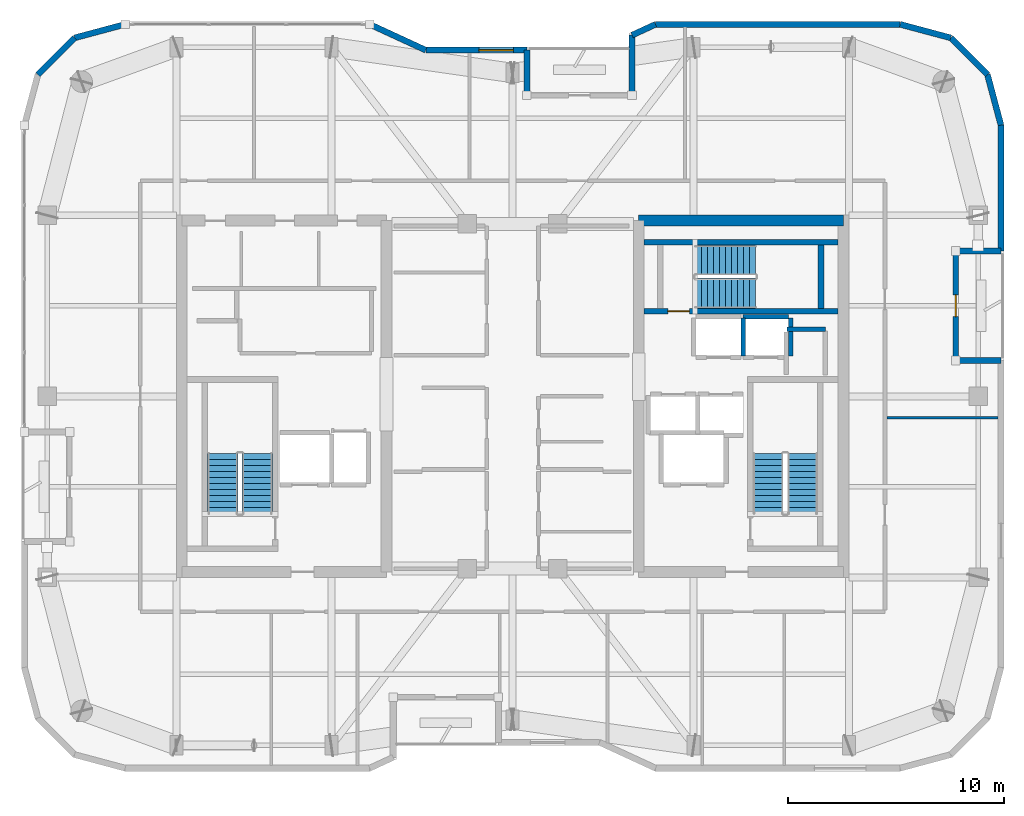
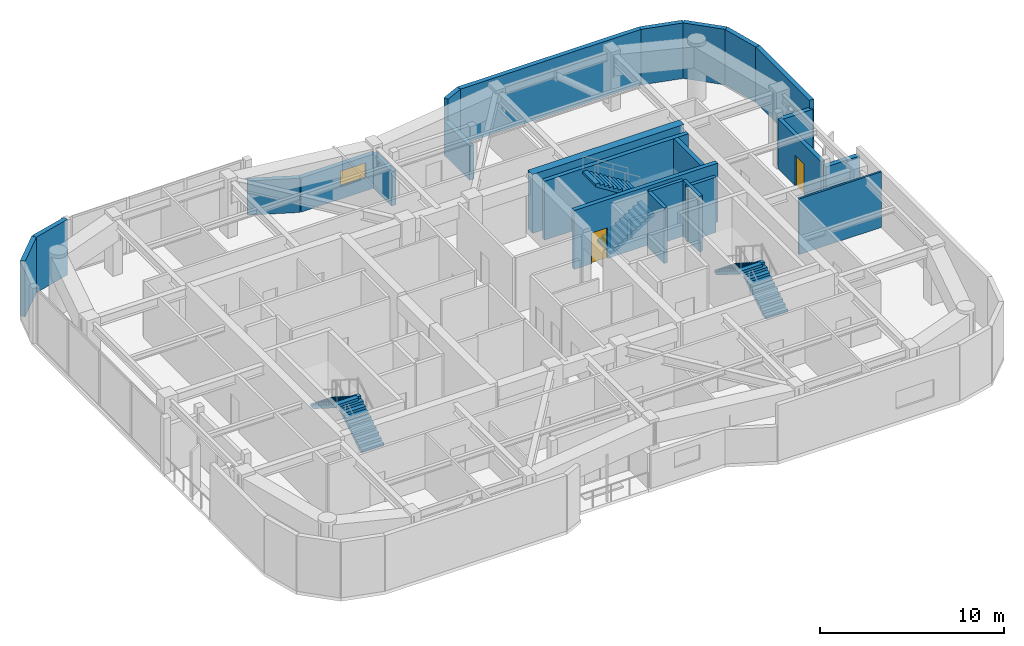
# One storey, part 13 of 15: 24 walls, 6 stair flights, 2 doors, 1 window, 3 openings, 3 elements without a shape of their own.
"""IFC4 building model written with IfcOpenShell, lengths in metres."""

from ifc_helpers import new_model, si_unit, direction, frame, frame_2d, origin, place, context, subcontext, project, spatial, polyline, rectangle, outline, extrude, material, layer, layer_set, type_object, element, fill, aggregate, save


model = new_model("IFC4")

# Units and contexts
model_context = context("Model", 3, precision=1e-05, world=origin(), true_north=direction((0.0, 1.0)))
body_context = subcontext(model_context, "Body", "Model", "MODEL_VIEW")
ifc_project = project(units=[si_unit("LENGTHUNIT", "METRE"), si_unit("AREAUNIT", "SQUARE_METRE"), si_unit("VOLUMEUNIT", "CUBIC_METRE"), si_unit("PLANEANGLEUNIT", "RADIAN"), si_unit("MASSUNIT", "GRAM", prefix="KILO")], contexts=[model_context])

# Site, building, storey
site_placement = place(None, origin())
site = spatial("IfcSite", under=ifc_project, at=site_placement, CompositionType="ELEMENT")
building_placement = place(site_placement, origin())
building = spatial("IfcBuilding", under=site, at=building_placement, Name="Kiyonajd Concourse Tower", CompositionType="ELEMENT")
storey_placement = place(building_placement, frame((0.0, 0.0, 314.10009765625)))
storey = spatial("IfcBuildingStorey", under=building, at=storey_placement, Name="L79", CompositionType="ELEMENT", Elevation=314.10009765625)

# Walls
ifc_material_1 = material(Name="Concrete C60/75", Category="concrete")
ifc_layer_1 = layer(ifc_material_1, 0.5)
ifc_layer_set_1 = layer_set([ifc_layer_1], Name="Concrete C60/75")
wall_type_1 = type_object("IfcWallType", Name="WL-CORE-500", PredefinedType="SHEAR", material=ifc_layer_set_1)
wall_1_placement = place(storey_placement, frame((53.85009765625, 44.14990234375, 0.0), z_axis=(0.0, 0.0, 1.0), x_axis=(1.0, 0.0, 0.0)))
element("IfcWall", 1, at=wall_1_placement, inside=storey, type_object=wall_type_1, Name="L79 East Core North Shear Wall", PredefinedType="SHEAR", context=body_context, shape_type="SweptSolid", body=[
    extrude(rectangle(XDim=9.5, YDim=0.5, at=frame_2d((4.75, 0.0))), origin(), (0.0, 0.0, 1.0), 3.89990234375),
])
ifc_material_2 = material(Name="Precast concrete C50/60", Category="concrete")
ifc_layer_2 = layer(ifc_material_2, 0.280029296875)
ifc_layer_set_2 = layer_set([ifc_layer_2], Name="Precast concrete C50/60")
wall_type_2 = type_object("IfcWallType", Name="WL-EXT-280", PredefinedType="SOLIDWALL", material=ifc_layer_set_2)
wall_2_placement = place(storey_placement, frame((25.968505859375, 50.927490234375, 0.0), z_axis=(0.0, 0.0, 1.0), x_axis=(0.707106781187, 0.707106781187, 0.0)))
element("IfcWall", 2, at=wall_2_placement, inside=storey, type_object=wall_type_2, Name="L79 Exterior Concrete Frame Wall 07", PredefinedType="SOLIDWALL", context=body_context, shape_type="SweptSolid", body=[
    extrude(rectangle(XDim=2.409912109375, YDim=0.280029296875, at=frame_2d((1.205078125, 0.0))), origin(), (0.0, 0.0, 1.0), 3.679931640625),
])
wall_3_placement = place(storey_placement, frame((27.672607421875, 52.631591796875, 0.0), z_axis=(0.0, 0.0, 1.0), x_axis=(0.965937282298, 0.25877628691, 0.0)))
element("IfcWall", 3, at=wall_3_placement, inside=storey, type_object=wall_type_2, Name="L79 Exterior Concrete Frame Wall 08", PredefinedType="SOLIDWALL", context=body_context, shape_type="SweptSolid", body=[
    extrude(rectangle(XDim=2.428466796875, YDim=0.280029296875, at=frame_2d((1.21435546875, 0.0))), origin(), (0.0, 0.0, 1.0), 3.679931640625),
])
wall_4_placement = place(storey_placement, frame((41.369384765625, 53.260009765625, 0.0), z_axis=(0.0, 0.0, 1.0), x_axis=(0.907956889006, -0.419063584324, 0.0)))
element("IfcWall", 4, at=wall_4_placement, inside=storey, type_object=wall_type_2, Name="L79 Exterior Concrete Frame Wall 10", PredefinedType="SOLIDWALL", context=body_context, shape_type="SweptSolid", body=[
    extrude(rectangle(XDim=2.863525390625, YDim=0.280029296875, at=frame_2d((1.431640625, 0.0))), origin(), (0.0, 0.0, 1.0), 2.264892578125),
])

# Wall, opening, window
wall_5_placement = place(storey_placement, frame((43.96923828125, 52.06005859375, 0.0), z_axis=(0.0, 0.0, 1.0), x_axis=(1.0, 0.0, 0.0)))
wall_5 = element("IfcWall", 5, at=wall_5_placement, inside=storey, type_object=wall_type_2, Name="L79 Exterior Concrete Frame Wall 11", PredefinedType="SOLIDWALL", context=body_context, shape_type="SweptSolid", body=[
    extrude(rectangle(XDim=4.690673828125, YDim=0.280029296875, at=frame_2d((2.34521484375, 0.0))), origin(), (0.0, 0.0, 1.0), 2.264892578125),
])
opening_1_placement = place(wall_5_placement, frame((2.466064453125, 0.0, 0.85009765625)))
opening_1 = element("IfcOpeningElement", 6, at=opening_1_placement, cuts=wall_5, Name="Opening WN6", PredefinedType="OPENING", context=body_context, shape_type="SweptSolid", body=[
    extrude(rectangle(XDim=1.60009765625, YDim=1.0, at=frame_2d((0.800048828125, 0.5))), frame((0.0, 0.14990234375, 0.0), z_axis=(0.0, -1.0, 0.0), x_axis=(1.0, 0.0, 0.0)), (0.0, 0.0, 1.0), 0.300048828125),
])
ifc_material_3 = material(Name="Double Low-E Insulated Glass", Category="glass")
window_type = type_object("IfcWindowType", Name="WN-VIS-1600x1000", PartitioningType="SINGLE_PANEL", PredefinedType="WINDOW", material=ifc_material_3)
window_placement = place(opening_1_placement, origin())
window = element("IfcWindow", 7, at=window_placement, inside=storey, type_object=window_type, Name="L79 Modular Facade Vision Window 11", OverallHeight=1.0, OverallWidth=1.60009765625, PartitioningType="SINGLE_PANEL", PredefinedType="WINDOW", context=body_context, shape_type="SweptSolid", body=[
    extrude(rectangle(XDim=1.60009765625, YDim=1.0, at=frame_2d((0.800048828125, 0.5))), frame((0.0, 0.030029296875, 0.0), z_axis=(0.0, -1.0, 0.0), x_axis=(1.0, 0.0, 0.0)), (0.0, 0.0, 1.0), 0.06005859375),
])
fill(opening_1, window)

# Walls
wall_6_placement = place(storey_placement, frame((48.659912109375, 52.06005859375, 0.0), z_axis=(0.0, 0.0, 1.0), x_axis=(0.0, -1.0, 0.0)))
element("IfcWall", 8, at=wall_6_placement, inside=storey, type_object=wall_type_2, Name="L79 Exterior Concrete Frame Wall 12", PredefinedType="SOLIDWALL", context=body_context, shape_type="SweptSolid", body=[
    extrude(rectangle(XDim=2.10009765625, YDim=0.280029296875, at=frame_2d((1.050048828125, 0.0))), origin(), (0.0, 0.0, 1.0), 2.264892578125),
])
wall_7_placement = place(storey_placement, frame((53.5400390625, 49.9599609375, 0.0), z_axis=(0.0, 0.0, 1.0), x_axis=(0.0, 1.0, 0.0)))
element("IfcWall", 9, at=wall_7_placement, inside=storey, type_object=wall_type_2, Name="L79 Exterior Concrete Frame Wall 14", PredefinedType="SOLIDWALL", context=body_context, shape_type="SweptSolid", body=[
    extrude(rectangle(XDim=2.79638671875, YDim=0.280029296875, at=frame_2d((1.398193359375, 0.0))), origin(), (0.0, 0.0, 1.0), 2.264892578125),
])
wall_8_placement = place(storey_placement, frame((53.5400390625, 52.75634765625, 0.0), z_axis=(0.0, 0.0, 1.0), x_axis=(0.907893953211, 0.419199916176, 0.0)))
element("IfcWall", 10, at=wall_8_placement, inside=storey, type_object=wall_type_2, Name="L79 Exterior Concrete Frame Wall 15", PredefinedType="SOLIDWALL", context=body_context, shape_type="SweptSolid", body=[
    extrude(rectangle(XDim=1.201416015625, YDim=0.280029296875, at=frame_2d((0.6005859375, 0.0))), origin(), (0.0, 0.0, 1.0), 3.679931640625),
])
wall_9_placement = place(storey_placement, frame((54.630859375, 53.260009765625, 0.0), z_axis=(0.0, 0.0, 1.0), x_axis=(1.0, 0.0, 0.0)))
element("IfcWall", 11, at=wall_9_placement, inside=storey, type_object=wall_type_2, Name="L79 Exterior Concrete Frame Wall 16", PredefinedType="SOLIDWALL", context=body_context, shape_type="SweptSolid", body=[
    extrude(rectangle(XDim=11.350830078125, YDim=0.280029296875, at=frame_2d((5.67529296875, 0.0))), origin(), (0.0, 0.0, 1.0), 3.679931640625),
])
wall_10_placement = place(storey_placement, frame((65.981689453125, 53.260009765625, 0.0), z_axis=(0.0, 0.0, 1.0), x_axis=(0.965937282298, -0.25877628691, 0.0)))
element("IfcWall", 12, at=wall_10_placement, inside=storey, type_object=wall_type_2, Name="L79 Exterior Concrete Frame Wall 17", PredefinedType="SOLIDWALL", context=body_context, shape_type="SweptSolid", body=[
    extrude(rectangle(XDim=2.428466796875, YDim=0.280029296875, at=frame_2d((1.21435546875, 0.0))), origin(), (0.0, 0.0, 1.0), 3.679931640625),
])
wall_11_placement = place(storey_placement, frame((68.327392578125, 52.631591796875, 0.0), z_axis=(0.0, 0.0, 1.0), x_axis=(0.707106781187, -0.707106781187, 0.0)))
element("IfcWall", 13, at=wall_11_placement, inside=storey, type_object=wall_type_2, Name="L79 Exterior Concrete Frame Wall 18", PredefinedType="SOLIDWALL", context=body_context, shape_type="SweptSolid", body=[
    extrude(rectangle(XDim=2.409912109375, YDim=0.280029296875, at=frame_2d((1.205078125, 0.0))), origin(), (0.0, 0.0, 1.0), 3.679931640625),
])
wall_12_placement = place(storey_placement, frame((70.031494140625, 50.927490234375, 0.0), z_axis=(0.0, 0.0, 1.0), x_axis=(0.258751159445, -0.965944013639, 0.0)))
element("IfcWall", 14, at=wall_12_placement, inside=storey, type_object=wall_type_2, Name="L79 Exterior Concrete Frame Wall 19", PredefinedType="SOLIDWALL", context=body_context, shape_type="SweptSolid", body=[
    extrude(rectangle(XDim=2.4287109375, YDim=0.280029296875, at=frame_2d((1.21435546875, 0.0))), origin(), (0.0, 0.0, 1.0), 3.679931640625),
])
wall_13_placement = place(storey_placement, frame((70.659912109375, 48.58154296875, 0.0), z_axis=(0.0, 0.0, 1.0), x_axis=(0.0, -1.0, 0.0)))
element("IfcWall", 15, at=wall_13_placement, inside=storey, type_object=wall_type_2, Name="L79 Exterior Concrete Frame Wall 20", PredefinedType="SOLIDWALL", context=body_context, shape_type="SweptSolid", body=[
    extrude(rectangle(XDim=5.841552734375, YDim=0.280029296875, at=frame_2d((2.9208984375, 0.0))), origin(), (0.0, 0.0, 1.0), 3.679931640625),
])
for number, where, z_axis, x_axis, name in (
    (16, (70.659912109375, 42.739990234375, 0.0), (0.0, 0.0, 1.0), (-1.0, 0.0, 0.0), "L79 Exterior Concrete Frame Wall 21"),
    (17, (68.56005859375, 37.659912109375, 0.0), (0.0, 0.0, 1.0), (1.0, 0.0, 0.0), "L79 Exterior Concrete Frame Wall 23"),
):
    element("IfcWall", number, at=place(storey_placement, frame(where, z_axis=z_axis, x_axis=x_axis)), inside=storey, type_object=wall_type_2, Name=name, PredefinedType="SOLIDWALL", context=body_context, shape_type="SweptSolid", body=[
        extrude(rectangle(XDim=2.099853515625, YDim=0.280029296875, at=frame_2d((1.0498046875, 0.0))), origin(), (0.0, 0.0, 1.0), 3.1259765625),
    ])

# Wall, opening, door
ifc_layer_3 = layer(ifc_material_2, 0.239990234375)
ifc_layer_set_3 = layer_set([ifc_layer_3], Name="Precast concrete C50/60")
wall_type_3 = type_object("IfcWallType", Name="WL-LOG-240", PredefinedType="SOLIDWALL", material=ifc_layer_set_3)
wall_14_placement = place(storey_placement, frame((68.56005859375, 42.544921875, 0.0), z_axis=(0.0, 0.0, 1.0), x_axis=(0.0, -1.0, 0.0)))
wall_14 = element("IfcWall", 18, at=wall_14_placement, inside=storey, type_object=wall_type_3, Name="L79 Recessed Loggia Thermal Wall LOG-E", PredefinedType="SOLIDWALL", context=body_context, shape_type="SweptSolid", body=[
    extrude(rectangle(XDim=4.68994140625, YDim=0.239990234375, at=frame_2d((2.344970703125, 0.0))), origin(), (0.0, 0.0, 1.0), 3.310791015625),
])
opening_2_placement = place(wall_14_placement, frame((1.844970703125, 0.0, 0.0)))
opening_2 = element("IfcOpeningElement", 19, at=opening_2_placement, cuts=wall_14, Name="Opening DL1", PredefinedType="OPENING", context=body_context, shape_type="SweptSolid", body=[
    extrude(rectangle(XDim=1.0, YDim=2.02001953125, at=frame_2d((0.5, 1.010009765625))), frame((0.0, 0.1298828125, 0.0), z_axis=(0.0, -1.0, 0.0), x_axis=(1.0, 0.0, 0.0)), (0.0, 0.0, 1.0), 0.260009765625),
])
ifc_material_4 = material(Name="Thermally Broken Anodised Aluminium", Category="aluminium")
door_type_1 = type_object("IfcDoorType", Name="DR-LOG-1000", OperationType="NOTDEFINED", PredefinedType="DOOR", material=ifc_material_4)
door_1_placement = place(opening_2_placement, origin())
door_1 = element("IfcDoor", 20, at=door_1_placement, inside=storey, type_object=door_type_1, Name="L79 Engawa Loggia Access Door LOG-E", OperationType="SINGLE_SWING_LEFT", OverallHeight=2.02001953125, OverallWidth=1.0, PredefinedType="DOOR", context=body_context, shape_type="SweptSolid", body=[
    extrude(rectangle(XDim=1.0, YDim=2.02001953125, at=frame_2d((0.5, 1.010009765625))), frame((0.0, 0.02490234375, 0.0), z_axis=(0.0, -1.0, 0.0), x_axis=(1.0, 0.0, 0.0)), (0.0, 0.0, 1.0), 0.050048828125),
])
fill(opening_2, door_1)

# Walls
ifc_material_5 = material(Name="Gypsum Board on Cold-Formed Steel Stud", Category="steel")
ifc_layer_4 = layer(ifc_material_5, 0.125)
ifc_layer_set_4 = layer_set([ifc_layer_4], Name="Gypsum Board on Cold-Formed Steel Stud")
wall_type_4 = type_object("IfcWallType", Name="WL-PART-125", PredefinedType="PARTITIONING", material=ifc_layer_set_4)
wall_15_placement = place(storey_placement, frame((65.362060546875, 35.0, 0.0), z_axis=(0.0, 0.0, 1.0), x_axis=(1.0, 0.0, 0.0)))
element("IfcWall", 21, at=wall_15_placement, inside=storey, type_object=wall_type_4, Name="L79 Interior Partition Wall", PredefinedType="PARTITIONING", context=body_context, shape_type="SweptSolid", body=[
    extrude(rectangle(XDim=5.162841796875, YDim=0.125, at=frame_2d((2.58154296875, 0.0))), origin(), (0.0, 0.0, 1.0), 3.679931640625),
])
ifc_layer_5 = layer(ifc_material_5, 0.2099609375)
ifc_layer_set_5 = layer_set([ifc_layer_5], Name="Gypsum Board on Cold-Formed Steel Stud")
wall_type_5 = type_object("IfcWallType", Name="WL-SHAFT-210", PredefinedType="PARTITIONING", material=ifc_layer_set_5)
wall_16_placement = place(storey_placement, frame((60.719970703125, 39.10009765625, 0.0), z_axis=(0.0, 0.0, 1.0), x_axis=(1.0, 0.0, 0.0)))
element("IfcWall", 22, at=wall_16_placement, inside=storey, type_object=wall_type_5, Name="L79 Shaft Enclosure Wall", PredefinedType="PARTITIONING", context=body_context, shape_type="SweptSolid", body=[
    extrude(rectangle(XDim=1.800048828125, YDim=0.2099609375, at=frame_2d((0.89990234375, 0.0))), origin(), (0.0, 0.0, 1.0), 3.679931640625),
])
wall_17_placement = place(storey_placement, frame((58.699951171875, 37.860107421875, 0.0), z_axis=(0.0, 0.0, 1.0), x_axis=(0.0, 1.0, 0.0)))
element("IfcWall", 23, at=wall_17_placement, inside=storey, type_object=wall_type_5, Name="L79 Shaft Enclosure Wall", PredefinedType="PARTITIONING", context=body_context, shape_type="SweptSolid", body=[
    extrude(rectangle(XDim=1.77978515625, YDim=0.2099609375, at=frame_2d((0.889892578125, 0.0))), origin(), (0.0, 0.0, 1.0), 3.679931640625),
])
wall_18_placement = place(storey_placement, frame((58.699951171875, 39.699951171875, 0.0), z_axis=(0.0, 0.0, 1.0), x_axis=(1.0, 0.0, 0.0)))
element("IfcWall", 24, at=wall_18_placement, inside=storey, type_object=wall_type_5, Name="L79 Shaft Enclosure Wall", PredefinedType="PARTITIONING", context=body_context, shape_type="SweptSolid", body=[
    extrude(rectangle(XDim=2.10009765625, YDim=0.2099609375, at=frame_2d((1.050048828125, 0.0))), origin(), (0.0, 0.0, 1.0), 3.679931640625),
])
wall_19_placement = place(storey_placement, frame((60.89990234375, 37.860107421875, 0.0), z_axis=(0.0, 0.0, 1.0), x_axis=(0.0, 1.0, 0.0)))
element("IfcWall", 25, at=wall_19_placement, inside=storey, type_object=wall_type_5, Name="L79 Shaft Enclosure Wall", PredefinedType="PARTITIONING", context=body_context, shape_type="SweptSolid", body=[
    extrude(rectangle(XDim=1.77978515625, YDim=0.2099609375, at=frame_2d((0.889892578125, 0.0))), origin(), (0.0, 0.0, 1.0), 3.679931640625),
])

# Wall, opening, door
ifc_material_6 = material(Name="Concrete C50/60", Category="concrete")
ifc_layer_6 = layer(ifc_material_6, 0.260009765625)
ifc_layer_set_6 = layer_set([ifc_layer_6], Name="Concrete C50/60")
wall_type_6 = type_object("IfcWallType", Name="WL-STAIR-260", PredefinedType="SHEAR", material=ifc_layer_set_6)
wall_20_placement = place(storey_placement, frame((54.10009765625, 39.949951171875, 0.0), z_axis=(0.0, 0.0, 1.0), x_axis=(1.0, 0.0, 0.0)))
wall_20 = element("IfcWall", 26, at=wall_20_placement, inside=storey, type_object=wall_type_6, Name="L79 Stair ST3 Structural South Wall", PredefinedType="SHEAR", context=body_context, shape_type="SweptSolid", body=[
    extrude(rectangle(XDim=9.0, YDim=0.260009765625, at=frame_2d((4.5, 0.0))), origin(), (0.0, 0.0, 1.0), 3.89990234375),
])
opening_3_placement = place(wall_20_placement, frame((1.10009765625, 0.0, 0.0)))
opening_3 = element("IfcOpeningElement", 27, at=opening_3_placement, cuts=wall_20, Name="Opening DF1", PredefinedType="OPENING", context=body_context, shape_type="SweptSolid", body=[
    extrude(rectangle(XDim=1.0, YDim=2.0400390625, at=frame_2d((0.5, 1.02001953125))), frame((0.0, 0.139892578125, 0.0), z_axis=(0.0, -1.0, 0.0), x_axis=(1.0, 0.0, 0.0)), (0.0, 0.0, 1.0), 0.280029296875),
])
ifc_material_7 = material(Name="Brushed Stainless Steel Cab Assembly", Category="steel")
door_type_2 = type_object("IfcDoorType", Name="DR-FD90-1000", OperationType="NOTDEFINED", PredefinedType="DOOR", material=ifc_material_7)
door_2_placement = place(opening_3_placement, origin())
door_2 = element("IfcDoor", 28, at=door_2_placement, inside=storey, type_object=door_type_2, Name="L79 Stair ST3 Enclosure Door", OperationType="SINGLE_SWING_LEFT", OverallHeight=2.0400390625, OverallWidth=1.0, PredefinedType="DOOR", context=body_context, shape_type="SweptSolid", body=[
    extrude(rectangle(XDim=1.0, YDim=2.0400390625, at=frame_2d((0.5, 1.02001953125))), frame((0.0, 0.02490234375, 0.0), z_axis=(0.0, -1.0, 0.0), x_axis=(1.0, 0.0, 0.0)), (0.0, 0.0, 1.0), 0.050048828125),
])
fill(opening_3, door_2)

# Walls
wall_21_placement = place(storey_placement, frame((54.10009765625, 43.14990234375, 0.0), z_axis=(0.0, 0.0, 1.0), x_axis=(1.0, 0.0, 0.0)))
element("IfcWall", 29, at=wall_21_placement, inside=storey, type_object=wall_type_6, Name="L79 Stair ST3 Structural North Wall", PredefinedType="SHEAR", context=body_context, shape_type="SweptSolid", body=[
    extrude(rectangle(XDim=9.0, YDim=0.260009765625, at=frame_2d((4.5, 0.0))), origin(), (0.0, 0.0, 1.0), 3.89990234375),
])
wall_22_placement = place(storey_placement, frame((62.31005859375, 40.080078125, 0.0), z_axis=(0.0, 0.0, 1.0), x_axis=(0.0, 1.0, 0.0)))
element("IfcWall", 30, at=wall_22_placement, inside=storey, type_object=wall_type_6, Name="L79 Stair ST3 Structural East Wall", PredefinedType="SHEAR", context=body_context, shape_type="SweptSolid", body=[
    extrude(rectangle(XDim=2.93994140625, YDim=0.260009765625, at=frame_2d((1.469970703125, 0.0))), origin(), (0.0, 0.0, 1.0), 3.89990234375),
])

# Stair, stair flights
ifc_material_8 = material(Name="Concrete C40/50", Category="concrete")
stair_type = type_object("IfcStairType", Name="ST-DLG-22R", PredefinedType="HALF_TURN_STAIR", material=ifc_material_8)
stair_1_placement = place(storey_placement, origin())
stair_1 = element("IfcStair", 31, at=stair_1_placement, inside=storey, type_object=stair_type, Name="L79 Protected Exit Stair ST1", PredefinedType="HALF_TURN_STAIR")
stair_flight_type = type_object("IfcStairFlightType", Name="SF-STR-22R", PredefinedType="STRAIGHT", material=ifc_material_8)
stair_flight_1_placement = place(storey_placement, frame((36.14990234375, 30.550048828125, 0.0), z_axis=(0.0, 0.0, 1.0), x_axis=(0.0, 1.0, 0.0)))
stair_flight_1 = element("IfcStairFlight", 32, at=stair_flight_1_placement, type_object=stair_flight_type, Name="ST1 flight 1", NumberOfRisers=11, NumberOfTreads=10, PredefinedType="STRAIGHT", RiserHeight=0.177272727, TreadLength=0.28, context=body_context, shape_type="SweptSolid", body=[
    extrude(outline(polyline([(0.0, 0.0), (0.0, 0.17724609375), (0.280029296875, 0.17724609375), (0.280029296875, 0.3544921875), (0.56005859375, 0.3544921875), (0.56005859375, 0.53173828125), (0.840087890625, 0.53173828125), (0.840087890625, 0.708984375), (1.1201171875, 0.708984375), (1.1201171875, 0.886474609375), (1.39990234375, 0.886474609375), (1.39990234375, 1.063720703125), (1.679931640625, 1.063720703125), (1.679931640625, 1.240966796875), (1.9599609375, 1.240966796875), (1.9599609375, 1.418212890625), (2.239990234375, 1.418212890625), (2.239990234375, 1.595458984375), (2.52001953125, 1.595458984375), (2.52001953125, 1.772705078125), (2.800048828125, 1.772705078125), (2.800048828125, 1.949951171875), (2.800048828125, 1.59521484375), (0.2802734375, 0.0), (0.0, 0.0)])), frame((0.0, 0.699951171875, 0.0), z_axis=(0.0, -1.0, 0.0), x_axis=(1.0, 0.0, 0.0)), (0.0, 0.0, 1.0), 1.39990234375),
])
stair_flight_2_placement = place(storey_placement, frame((34.550048828125, 33.35009765625, 1.949951171875), z_axis=(0.0, 0.0, 1.0), x_axis=(0.0, -1.0, 0.0)))
stair_flight_2 = element("IfcStairFlight", 33, at=stair_flight_2_placement, type_object=stair_flight_type, Name="ST1 flight 2", NumberOfRisers=11, NumberOfTreads=10, PredefinedType="STRAIGHT", RiserHeight=0.177272727, TreadLength=0.28, context=body_context, shape_type="SweptSolid", body=[
    extrude(outline(polyline([(0.0, 0.0), (0.0, 0.17724609375), (0.280029296875, 0.17724609375), (0.280029296875, 0.3544921875), (0.56005859375, 0.3544921875), (0.56005859375, 0.53173828125), (0.840087890625, 0.53173828125), (0.840087890625, 0.708984375), (1.1201171875, 0.708984375), (1.1201171875, 0.886474609375), (1.39990234375, 0.886474609375), (1.39990234375, 1.063720703125), (1.679931640625, 1.063720703125), (1.679931640625, 1.240966796875), (1.9599609375, 1.240966796875), (1.9599609375, 1.418212890625), (2.239990234375, 1.418212890625), (2.239990234375, 1.595458984375), (2.52001953125, 1.595458984375), (2.52001953125, 1.772705078125), (2.800048828125, 1.772705078125), (2.800048828125, 1.949951171875), (2.800048828125, 1.59521484375), (0.2802734375, 0.0), (0.0, 0.0)])), frame((0.0, 0.699951171875, 0.0), z_axis=(0.0, -1.0, 0.0), x_axis=(1.0, 0.0, 0.0)), (0.0, 0.0, 1.0), 1.39990234375),
])
aggregate(stair_1, [stair_flight_1, stair_flight_2])

stair_2_placement = place(storey_placement, origin())
stair_2 = element("IfcStair", 34, at=stair_2_placement, inside=storey, type_object=stair_type, Name="L79 Protected Exit Stair ST2", PredefinedType="HALF_TURN_STAIR")
stair_flight_3_placement = place(storey_placement, frame((61.449951171875, 30.550048828125, 0.0), z_axis=(0.0, 0.0, 1.0), x_axis=(0.0, 1.0, 0.0)))
stair_flight_3 = element("IfcStairFlight", 35, at=stair_flight_3_placement, type_object=stair_flight_type, Name="ST2 flight 1", NumberOfRisers=11, NumberOfTreads=10, PredefinedType="STRAIGHT", RiserHeight=0.177272727, TreadLength=0.28, context=body_context, shape_type="SweptSolid", body=[
    extrude(outline(polyline([(0.0, 0.0), (0.0, 0.17724609375), (0.280029296875, 0.17724609375), (0.280029296875, 0.3544921875), (0.56005859375, 0.3544921875), (0.56005859375, 0.53173828125), (0.840087890625, 0.53173828125), (0.840087890625, 0.708984375), (1.1201171875, 0.708984375), (1.1201171875, 0.886474609375), (1.39990234375, 0.886474609375), (1.39990234375, 1.063720703125), (1.679931640625, 1.063720703125), (1.679931640625, 1.240966796875), (1.9599609375, 1.240966796875), (1.9599609375, 1.418212890625), (2.239990234375, 1.418212890625), (2.239990234375, 1.595458984375), (2.52001953125, 1.595458984375), (2.52001953125, 1.772705078125), (2.800048828125, 1.772705078125), (2.800048828125, 1.949951171875), (2.800048828125, 1.59521484375), (0.2802734375, 0.0), (0.0, 0.0)])), frame((0.0, 0.699951171875, 0.0), z_axis=(0.0, -1.0, 0.0), x_axis=(1.0, 0.0, 0.0)), (0.0, 0.0, 1.0), 1.39990234375),
])
stair_flight_4_placement = place(storey_placement, frame((59.85009765625, 33.35009765625, 1.949951171875), z_axis=(0.0, 0.0, 1.0), x_axis=(0.0, -1.0, 0.0)))
stair_flight_4 = element("IfcStairFlight", 36, at=stair_flight_4_placement, type_object=stair_flight_type, Name="ST2 flight 2", NumberOfRisers=11, NumberOfTreads=10, PredefinedType="STRAIGHT", RiserHeight=0.177272727, TreadLength=0.28, context=body_context, shape_type="SweptSolid", body=[
    extrude(outline(polyline([(0.0, 0.0), (0.0, 0.17724609375), (0.280029296875, 0.17724609375), (0.280029296875, 0.3544921875), (0.56005859375, 0.3544921875), (0.56005859375, 0.53173828125), (0.840087890625, 0.53173828125), (0.840087890625, 0.708984375), (1.1201171875, 0.708984375), (1.1201171875, 0.886474609375), (1.39990234375, 0.886474609375), (1.39990234375, 1.063720703125), (1.679931640625, 1.063720703125), (1.679931640625, 1.240966796875), (1.9599609375, 1.240966796875), (1.9599609375, 1.418212890625), (2.239990234375, 1.418212890625), (2.239990234375, 1.595458984375), (2.52001953125, 1.595458984375), (2.52001953125, 1.772705078125), (2.800048828125, 1.772705078125), (2.800048828125, 1.949951171875), (2.800048828125, 1.59521484375), (0.2802734375, 0.0), (0.0, 0.0)])), frame((0.0, 0.699951171875, 0.0), z_axis=(0.0, -1.0, 0.0), x_axis=(1.0, 0.0, 0.0)), (0.0, 0.0, 1.0), 1.39990234375),
])
aggregate(stair_2, [stair_flight_3, stair_flight_4])

stair_3_placement = place(storey_placement, origin())
stair_3 = element("IfcStair", 37, at=stair_3_placement, inside=storey, type_object=stair_type, Name="L79 Protected Exit Stair ST3", PredefinedType="HALF_TURN_STAIR")
stair_flight_5_placement = place(storey_placement, frame((56.47998046875, 40.780029296875, 0.0), z_axis=(0.0, 0.0, 1.0), x_axis=(1.0, 0.0, 0.0)))
stair_flight_5 = element("IfcStairFlight", 38, at=stair_flight_5_placement, type_object=stair_flight_type, Name="ST3 flight 1", NumberOfRisers=11, NumberOfTreads=10, PredefinedType="STRAIGHT", RiserHeight=0.177272727, TreadLength=0.28, context=body_context, shape_type="SweptSolid", body=[
    extrude(outline(polyline([(0.0, 0.0), (0.0, 0.17724609375), (0.280029296875, 0.17724609375), (0.280029296875, 0.3544921875), (0.56005859375, 0.3544921875), (0.56005859375, 0.53173828125), (0.840087890625, 0.53173828125), (0.840087890625, 0.708984375), (1.1201171875, 0.708984375), (1.1201171875, 0.886474609375), (1.39990234375, 0.886474609375), (1.39990234375, 1.063720703125), (1.679931640625, 1.063720703125), (1.679931640625, 1.240966796875), (1.9599609375, 1.240966796875), (1.9599609375, 1.418212890625), (2.239990234375, 1.418212890625), (2.239990234375, 1.595458984375), (2.52001953125, 1.595458984375), (2.52001953125, 1.772705078125), (2.800048828125, 1.772705078125), (2.800048828125, 1.949951171875), (2.800048828125, 1.59521484375), (0.2802734375, 0.0), (0.0, 0.0)])), frame((0.0, 0.699951171875, 0.0), z_axis=(0.0, -1.0, 0.0), x_axis=(1.0, 0.0, 0.0)), (0.0, 0.0, 1.0), 1.39990234375),
])
stair_flight_6_placement = place(storey_placement, frame((59.280029296875, 42.320068359375, 1.949951171875), z_axis=(0.0, 0.0, 1.0), x_axis=(-1.0, 0.0, 0.0)))
stair_flight_6 = element("IfcStairFlight", 39, at=stair_flight_6_placement, type_object=stair_flight_type, Name="ST3 flight 2", NumberOfRisers=11, NumberOfTreads=10, PredefinedType="STRAIGHT", RiserHeight=0.177272727, TreadLength=0.28, context=body_context, shape_type="SweptSolid", body=[
    extrude(outline(polyline([(0.0, 0.0), (0.0, 0.17724609375), (0.280029296875, 0.17724609375), (0.280029296875, 0.3544921875), (0.56005859375, 0.3544921875), (0.56005859375, 0.53173828125), (0.840087890625, 0.53173828125), (0.840087890625, 0.708984375), (1.1201171875, 0.708984375), (1.1201171875, 0.886474609375), (1.39990234375, 0.886474609375), (1.39990234375, 1.063720703125), (1.679931640625, 1.063720703125), (1.679931640625, 1.240966796875), (1.9599609375, 1.240966796875), (1.9599609375, 1.418212890625), (2.239990234375, 1.418212890625), (2.239990234375, 1.595458984375), (2.52001953125, 1.595458984375), (2.52001953125, 1.772705078125), (2.800048828125, 1.772705078125), (2.800048828125, 1.949951171875), (2.800048828125, 1.59521484375), (0.2802734375, 0.0), (0.0, 0.0)])), frame((0.0, 0.699951171875, 0.0), z_axis=(0.0, -1.0, 0.0), x_axis=(1.0, 0.0, 0.0)), (0.0, 0.0, 1.0), 1.39990234375),
])
aggregate(stair_3, [stair_flight_5, stair_flight_6])

save(model, "model.ifc")
